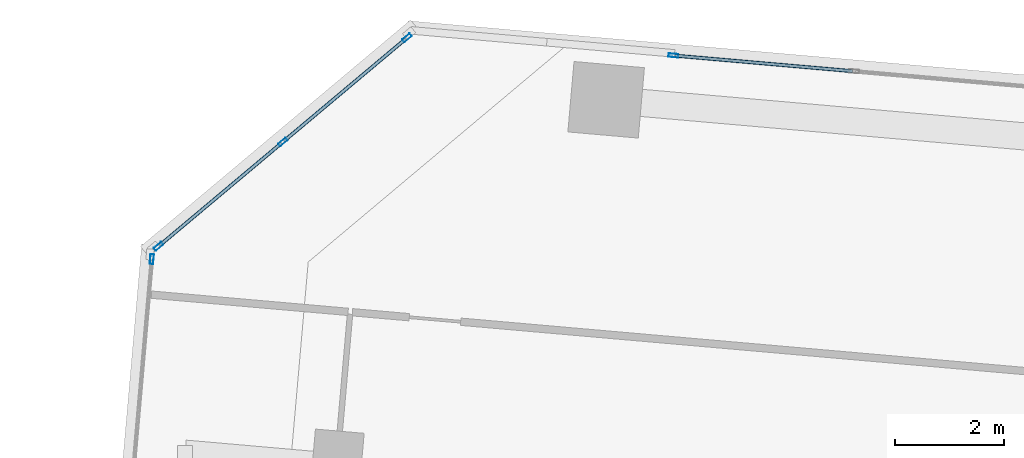
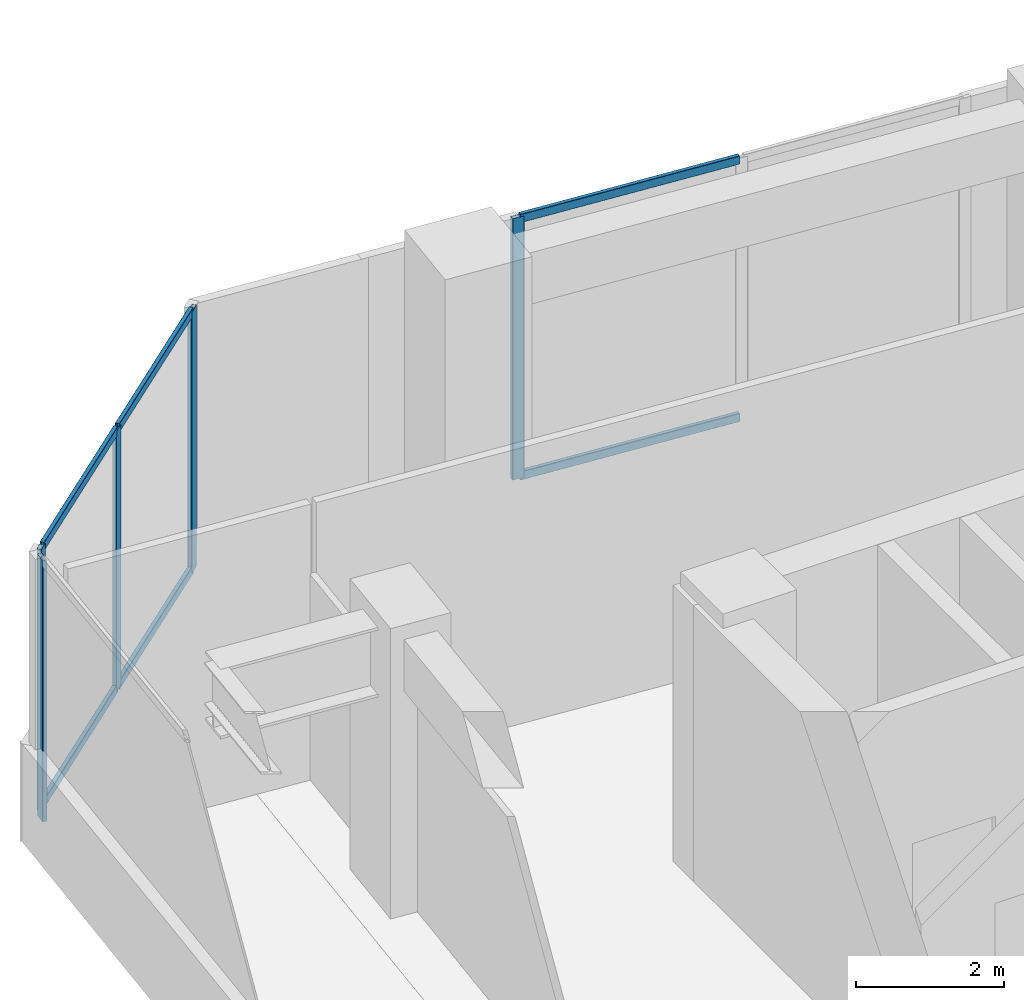
# One storey, part 14 of 24: 11 members, 3 elements without a shape of their own.
"""IFC4 building model written with IfcOpenShell, lengths in metres."""

from ifc_helpers import new_model, si_unit, direction, frame, origin, origin_2d, place, context, subcontext, project, spatial, hollow_rectangle, extrude, source, transform, mapped, material, material_profile, profile_set, type_object, element, aggregate, save


model = new_model("IFC4")

# Units and contexts
model_context = context("Model", 3, precision=1e-05, world=origin(), true_north=direction((0.0, 1.0)))
body_context = subcontext(model_context, "Body", "Model", "MODEL_VIEW")
ifc_project = project(units=[si_unit("LENGTHUNIT", "METRE"), si_unit("AREAUNIT", "SQUARE_METRE"), si_unit("VOLUMEUNIT", "CUBIC_METRE"), si_unit("PLANEANGLEUNIT", "RADIAN"), si_unit("MASSUNIT", "GRAM", prefix="KILO")], contexts=[model_context])

# Site, building, storey
site_placement = place(None, origin())
site = spatial("IfcSite", under=ifc_project, at=site_placement, CompositionType="ELEMENT")
building_placement = place(site_placement, origin())
building = spatial("IfcBuilding", under=site, at=building_placement, Name="Torre Montelarca", CompositionType="ELEMENT")
storey_placement = place(building_placement, frame((0.0, 0.0, 47.199951171875)))
storey = spatial("IfcBuildingStorey", under=building, at=storey_placement, Name="L10", CompositionType="ELEMENT", Elevation=47.199951171875)

# Curtain wall, member
ifc_material_1 = material(Name="Insulated low-E laminated glass", Category="glass")
curtain_wall_type = type_object("IfcCurtainWallType", Name="CW-SYS-Z1", PredefinedType="USERDEFINED", material=ifc_material_1)
curtain_wall_1_placement = place(storey_placement, origin())
curtain_wall_1 = element("IfcCurtainWall", 1, at=curtain_wall_1_placement, inside=storey, type_object=curtain_wall_type, Name="L10 Curtain Wall Run CW-T3-L10-E08-B4", ObjectType="UNITISED GLAZING", PredefinedType="USERDEFINED")
ifc_material_2 = material(Name="Anodised aluminium AA 6063-T6", Category="aluminium")
ifc_material_profile_1 = material_profile(ifc_material_2, hollow_rectangle(XDim=0.06494140625, YDim=0.179931640625, WallThickness=0.00390625, InnerFilletRadius=0.00390625, OuterFilletRadius=0.008056640625, at=origin_2d()), Name="ALU65X180X4", Category="aluminium")
ifc_profile_set_1 = profile_set([ifc_material_profile_1], Name="Anodised aluminium AA 6063-T6")
member_type_1 = type_object("IfcMemberType", Name="CWM-ALU180", PredefinedType="MULLION", material=ifc_profile_set_1)
shared_shape_1 = source(origin(), body_context, "Body", "SweptSolid", [
    extrude(hollow_rectangle(XDim=0.06494140625, YDim=0.179931640625, WallThickness=0.00390625, InnerFilletRadius=0.00390625, OuterFilletRadius=0.008056640625, at=origin_2d()), origin(), (0.0, 0.0, 1.0), 4.320068359375),
])
member_1_placement = place(storey_placement, frame((11.606201171875, 48.9970703125, 0.0), z_axis=(0.0, 0.0, 1.0), x_axis=(-0.087166766231, -0.9961937336, 0.0)))
member_1 = element("IfcMember", 2, at=member_1_placement, type_object=member_type_1, Name="CW mullion 3", PredefinedType="MULLION", context=body_context, shape_type="MappedRepresentation", body=[
    mapped(shared_shape_1, transform((0.0, 0.0, 0.0), scale=1.0)),
])

# Curtain wall, members
curtain_wall_2_placement = place(storey_placement, origin())
curtain_wall_2 = element("IfcCurtainWall", 3, at=curtain_wall_2_placement, inside=storey, type_object=curtain_wall_type, Name="L10 Curtain Wall Run CW-T3-L10-E09-B1", ObjectType="UNITISED GLAZING", PredefinedType="USERDEFINED")
member_2_placement = place(storey_placement, frame((6.705322265625, 49.3232421875, 0.0), z_axis=(0.0, 0.0, 1.0), x_axis=(0.642789614074, -0.766042761233, 0.0)))
member_2 = element("IfcMember", 4, at=member_2_placement, type_object=member_type_1, Name="CW mullion 1", PredefinedType="MULLION", context=body_context, shape_type="MappedRepresentation", body=[
    mapped(shared_shape_1, transform((0.0, 0.0, 0.0), scale=1.0)),
])
member_3_placement = place(storey_placement, frame((4.419677734375, 47.4052734375, 0.0), z_axis=(0.0, 0.0, 1.0), x_axis=(0.642789614074, -0.766042761233, 0.0)))
member_3 = element("IfcMember", 5, at=member_3_placement, type_object=member_type_1, Name="CW mullion 2", PredefinedType="MULLION", context=body_context, shape_type="MappedRepresentation", body=[
    mapped(shared_shape_1, transform((0.0, 0.0, 0.0), scale=1.0)),
])
member_4_placement = place(storey_placement, frame((2.134033203125, 45.487548828125, 0.0), z_axis=(0.0, 0.0, 1.0), x_axis=(0.642789614074, -0.766042761233, 0.0)))
member_4 = element("IfcMember", 6, at=member_4_placement, type_object=member_type_1, Name="CW mullion 3", PredefinedType="MULLION", context=body_context, shape_type="MappedRepresentation", body=[
    mapped(shared_shape_1, transform((0.0, 0.0, 0.0), scale=1.0)),
])

# Curtain wall, member
curtain_wall_3_placement = place(storey_placement, origin())
curtain_wall_3 = element("IfcCurtainWall", 7, at=curtain_wall_3_placement, inside=storey, type_object=curtain_wall_type, Name="L10 Curtain Wall Run CW-T3-L10-E10-B1", ObjectType="UNITISED GLAZING", PredefinedType="USERDEFINED")
member_5_placement = place(storey_placement, frame((2.0107421875, 45.250732421875, 0.0), z_axis=(0.0, 0.0, 1.0), x_axis=(0.99619413316, -0.087162199711, 0.0)))
member_5 = element("IfcMember", 8, at=member_5_placement, type_object=member_type_1, Name="CW mullion 1", PredefinedType="MULLION", context=body_context, shape_type="MappedRepresentation", body=[
    mapped(shared_shape_1, transform((0.0, 0.0, 0.0), scale=1.0)),
])
aggregate(curtain_wall_3, [member_5])

# Member
ifc_material_profile_2 = material_profile(ifc_material_2, hollow_rectangle(XDim=0.06494140625, YDim=0.139892578125, WallThickness=0.00390625, InnerFilletRadius=0.00390625, OuterFilletRadius=0.008056640625, at=origin_2d()), Name="ALU65X140X4", Category="aluminium")
ifc_profile_set_2 = profile_set([ifc_material_profile_2], Name="Anodised aluminium AA 6063-T6")
member_type_2 = type_object("IfcMemberType", Name="CWT-ALU140", PredefinedType="USERDEFINED", material=ifc_profile_set_2)
shared_shape_2 = source(origin(), body_context, "Body", "SweptSolid", [
    extrude(hollow_rectangle(XDim=0.06494140625, YDim=0.139892578125, WallThickness=0.00390625, InnerFilletRadius=0.00390625, OuterFilletRadius=0.008056640625, at=origin_2d()), origin(), (0.0, 0.0, 1.0), 3.2724609375),
])
member_6_placement = place(storey_placement, frame((14.898681640625, 48.708984375, 0.032470703125), z_axis=(-0.996196227428, 0.087138260588, 0.0), x_axis=(-0.087138260588, -0.996196227428, 0.0)))
member_6 = element("IfcMember", 9, at=member_6_placement, type_object=member_type_2, Name="CW transom 2.1", ObjectType="TRANSOM", PredefinedType="USERDEFINED", context=body_context, shape_type="MappedRepresentation", body=[
    mapped(shared_shape_2, transform((0.0, 0.0, 0.0), scale=1.0)),
])

member_7_placement = place(storey_placement, frame((14.898681640625, 48.708984375, 4.28759765625), z_axis=(-0.996196227428, 0.087138260588, 0.0), x_axis=(-0.087138260588, -0.996196227428, 0.0)))
member_7 = element("IfcMember", 10, at=member_7_placement, type_object=member_type_2, Name="CW transom 2.2", ObjectType="TRANSOM", PredefinedType="USERDEFINED", context=body_context, shape_type="MappedRepresentation", body=[
    mapped(shared_shape_2, transform((0.0, 0.0, 0.0), scale=1.0)),
])

aggregate(curtain_wall_1, [member_1, member_6, member_7])

shared_shape_3 = source(origin(), body_context, "Body", "SweptSolid", [
    extrude(hollow_rectangle(XDim=0.06494140625, YDim=0.139892578125, WallThickness=0.00390625, InnerFilletRadius=0.00390625, OuterFilletRadius=0.008056640625, at=origin_2d()), origin(), (0.0, 0.0, 1.0), 2.918701171875),
])
member_8_placement = place(storey_placement, frame((6.680419921875, 49.30224609375, 0.032470703125), z_axis=(-0.766063983954, -0.642764321107, 0.0), x_axis=(0.642764321107, -0.766063983954, 0.0)))
member_8 = element("IfcMember", 11, at=member_8_placement, type_object=member_type_2, Name="CW transom 1.1", ObjectType="TRANSOM", PredefinedType="USERDEFINED", context=body_context, shape_type="MappedRepresentation", body=[
    mapped(shared_shape_3, transform((0.0, 0.0, 0.0), scale=1.0)),
])

member_9_placement = place(storey_placement, frame((6.680419921875, 49.30224609375, 4.28759765625), z_axis=(-0.766063983954, -0.642764321107, 0.0), x_axis=(0.642764321107, -0.766063983954, 0.0)))
member_9 = element("IfcMember", 12, at=member_9_placement, type_object=member_type_2, Name="CW transom 1.2", ObjectType="TRANSOM", PredefinedType="USERDEFINED", context=body_context, shape_type="MappedRepresentation", body=[
    mapped(shared_shape_3, transform((0.0, 0.0, 0.0), scale=1.0)),
])

member_10_placement = place(storey_placement, frame((4.394775390625, 47.384521484375, 0.032470703125), z_axis=(-0.766022795599, -0.642813407314, 0.0), x_axis=(0.642813407314, -0.766022795599, 0.0)))
member_10 = element("IfcMember", 13, at=member_10_placement, type_object=member_type_2, Name="CW transom 2.1", ObjectType="TRANSOM", PredefinedType="USERDEFINED", context=body_context, shape_type="MappedRepresentation", body=[
    mapped(shared_shape_3, transform((0.0, 0.0, 0.0), scale=1.0)),
])

member_11_placement = place(storey_placement, frame((4.394775390625, 47.384521484375, 4.28759765625), z_axis=(-0.766022795599, -0.642813407314, 0.0), x_axis=(0.642813407314, -0.766022795599, 0.0)))
member_11 = element("IfcMember", 14, at=member_11_placement, type_object=member_type_2, Name="CW transom 2.2", ObjectType="TRANSOM", PredefinedType="USERDEFINED", context=body_context, shape_type="MappedRepresentation", body=[
    mapped(shared_shape_3, transform((0.0, 0.0, 0.0), scale=1.0)),
])

aggregate(curtain_wall_2, [member_2, member_3, member_4, member_8, member_9, member_10, member_11])

save(model, "model.ifc")
